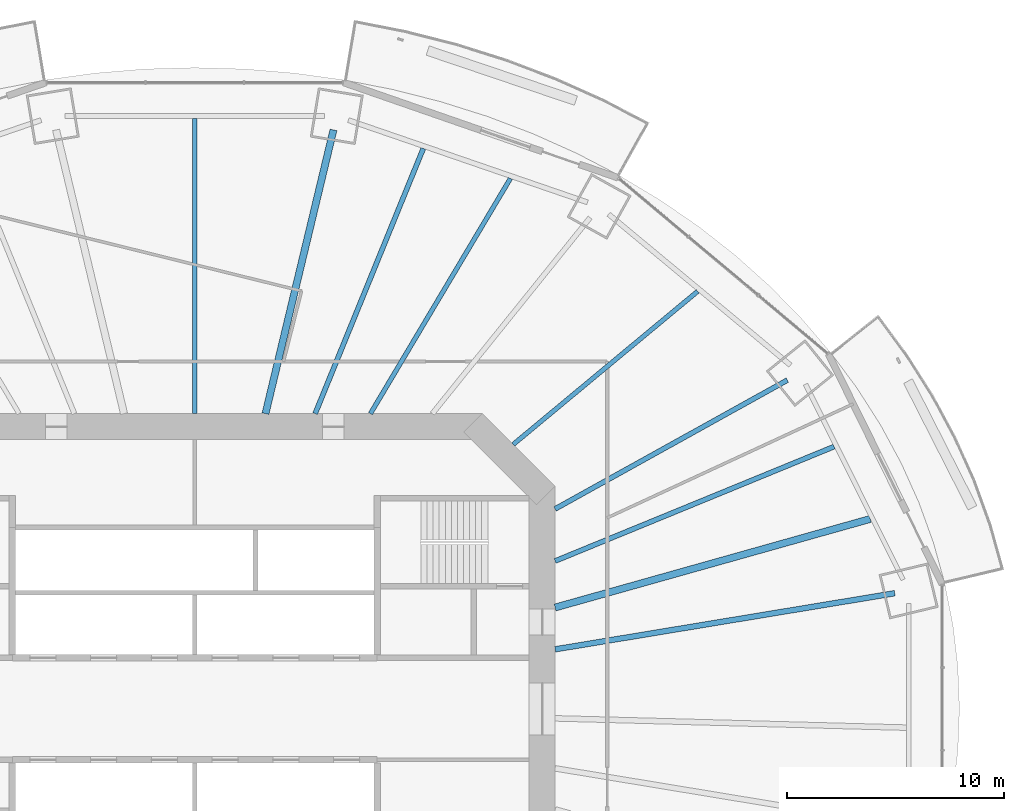
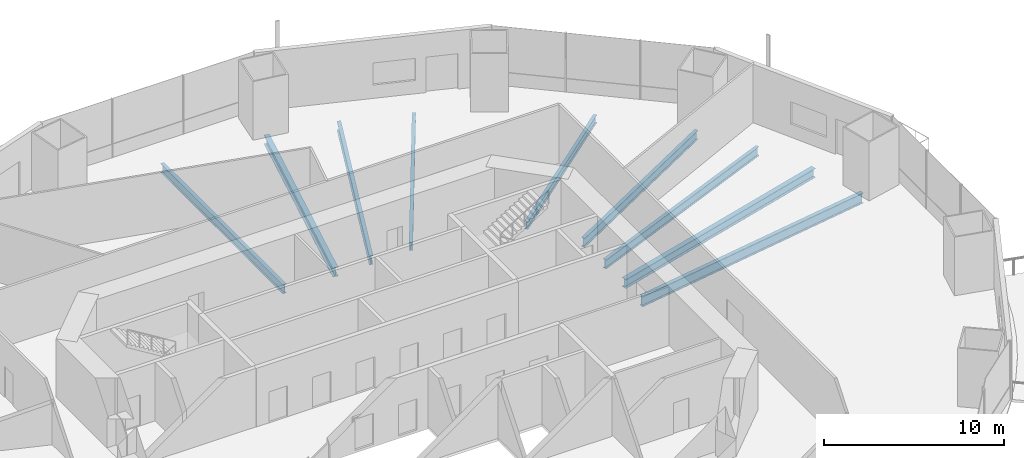
# One storey, part 8 of 22: 9 beams.
"""IFC4 building model written with IfcOpenShell, lengths in metres."""

from ifc_helpers import new_model, si_unit, direction, frame, origin, origin_2d, place, context, subcontext, project, spatial, i_section, extrude, material, material_profile, profile_set, type_object, element, save


model = new_model("IFC4")

# Units and contexts
model_context = context("Model", 3, precision=1e-05, world=origin(), true_north=direction((0.0, 1.0)))
body_context = subcontext(model_context, "Body", "Model", "MODEL_VIEW")
ifc_project = project(units=[si_unit("LENGTHUNIT", "METRE"), si_unit("AREAUNIT", "SQUARE_METRE"), si_unit("VOLUMEUNIT", "CUBIC_METRE"), si_unit("PLANEANGLEUNIT", "RADIAN"), si_unit("MASSUNIT", "GRAM", prefix="KILO")], contexts=[model_context])

# Site, building, storey
site_placement = place(None, origin())
site = spatial("IfcSite", under=ifc_project, at=site_placement, CompositionType="ELEMENT")
building_placement = place(site_placement, origin())
building = spatial("IfcBuilding", under=site, at=building_placement, Name="Marenthal Gate Tower", CompositionType="ELEMENT")
storey_placement = place(building_placement, frame((0.0, 0.0, 91.10009765625)))
storey = spatial("IfcBuildingStorey", under=building, at=storey_placement, Name="L18", CompositionType="ELEMENT", Elevation=91.10009765625)

# Beams
ifc_material_1 = material(Name="Steel S355", Category="steel")
ifc_material_profile_1 = material_profile(ifc_material_1, i_section(OverallWidth=0.2099609375, OverallDepth=0.535888671875, WebThickness=0.010986328125, FlangeThickness=0.017333984375, FilletRadius=0.0126953125, at=origin_2d()), Name="W530X101")
ifc_profile_set_1 = profile_set([ifc_material_profile_1], Name="Steel S355")
beam_type_1 = type_object("IfcBeamType", Name="W530X101 beam", PredefinedType="BEAM", material=ifc_profile_set_1)
beam_1_placement = place(storey_placement, frame((23.164794921875, 19.23193359375, -0.447998046875), z_axis=(-0.769390815443, -0.638778344273, 0.0), x_axis=(0.638778344273, -0.769390815443, 0.0)))
element("IfcBeam", 1, at=beam_1_placement, inside=storey, type_object=beam_type_1, Name="BM-L18-19", PredefinedType="BEAM", context=body_context, shape_type="SweptSolid", body=[
    extrude(i_section(OverallWidth=0.2099609375, OverallDepth=0.535888671875, WebThickness=0.010986328125, FlangeThickness=0.017333984375, FilletRadius=0.0126953125, at=origin_2d()), origin(), (0.0, 0.0, 1.0), 11.041259765625),
])
ifc_material_2 = material(Name="Steel S355", Category="steel")
ifc_material_profile_2 = material_profile(ifc_material_2, i_section(OverallWidth=0.2119140625, OverallDepth=0.5439453125, WebThickness=0.01318359375, FlangeThickness=0.021240234375, FilletRadius=0.0126953125, at=origin_2d()), Name="W530X123")
ifc_profile_set_2 = profile_set([ifc_material_profile_2], Name="Steel S355")
beam_type_2 = type_object("IfcBeamType", Name="W530X123 beam", PredefinedType="BEAM", material=ifc_profile_set_2)
beam_2_placement = place(storey_placement, frame((14.539794921875, 24.431396484375, -0.4521484375), z_axis=(-0.511416092882, -0.859333218223, 0.0), x_axis=(0.859333218223, -0.511416092882, 0.0)))
element("IfcBeam", 2, at=beam_2_placement, inside=storey, type_object=beam_type_2, Name="BM-L18-20", PredefinedType="BEAM", context=body_context, shape_type="SweptSolid", body=[
    extrude(i_section(OverallWidth=0.2119140625, OverallDepth=0.5439453125, WebThickness=0.01318359375, FlangeThickness=0.021240234375, FilletRadius=0.0126953125, at=origin_2d()), origin(), (0.0, 0.0, 1.0), 12.604248046875),
])
ifc_material_3 = material(Name="Steel S355", Category="steel")
ifc_material_profile_3 = material_profile(ifc_material_3, i_section(OverallWidth=0.22900390625, OverallDepth=0.612060546875, WebThickness=0.011962890625, FlangeThickness=0.01953125, FilletRadius=0.0126953125, at=origin_2d()), Name="W610X125")
ifc_profile_set_3 = profile_set([ifc_material_profile_3], Name="Steel S355")
beam_type_3 = type_object("IfcBeamType", Name="W610X125 beam", PredefinedType="BEAM", material=ifc_profile_set_3)
beam_3_placement = place(storey_placement, frame((27.296630859375, 15.142333984375, -0.486083984375), z_axis=(-0.874458374023, -0.485100558752, 0.0), x_axis=(0.485100558752, -0.874458374023, 0.0)))
element("IfcBeam", 3, at=beam_3_placement, inside=storey, type_object=beam_type_3, Name="BM-L18-02", PredefinedType="BEAM", context=body_context, shape_type="SweptSolid", body=[
    extrude(i_section(OverallWidth=0.22900390625, OverallDepth=0.612060546875, WebThickness=0.011962890625, FlangeThickness=0.01953125, FilletRadius=0.0126953125, at=origin_2d()), origin(), (0.0, 0.0, 1.0), 12.232177734375),
])
beam_4_placement = place(storey_placement, frame((29.45068359375, 12.08056640625, -0.486083984375), z_axis=(-0.925188716507, -0.379507363365, 0.0), x_axis=(0.379507363365, -0.925188716507, 0.0)))
element("IfcBeam", 4, at=beam_4_placement, inside=storey, type_object=beam_type_3, Name="BM-L18-18", PredefinedType="BEAM", context=body_context, shape_type="SweptSolid", body=[
    extrude(i_section(OverallWidth=0.22900390625, OverallDepth=0.612060546875, WebThickness=0.011962890625, FlangeThickness=0.01953125, FilletRadius=0.0126953125, at=origin_2d()), origin(), (0.0, 0.0, 1.0), 13.8896484375),
])
beam_5_placement = place(storey_placement, frame((10.52734375, 25.811279296875, -0.486083984375), z_axis=(-0.377657332002, -0.925945430134, 0.0), x_axis=(0.925945430134, -0.377657332002, 0.0)))
element("IfcBeam", 5, at=beam_5_placement, inside=storey, type_object=beam_type_3, Name="BM-L18-21", PredefinedType="BEAM", context=body_context, shape_type="SweptSolid", body=[
    extrude(i_section(OverallWidth=0.22900390625, OverallDepth=0.612060546875, WebThickness=0.011962890625, FlangeThickness=0.01953125, FilletRadius=0.0126953125, at=origin_2d()), origin(), (0.0, 0.0, 1.0), 13.187744140625),
])
beam_6_placement = place(storey_placement, frame((0.0, 27.188720703125, -0.486083984375), z_axis=(0.0, -1.0, 0.0), x_axis=(1.0, 0.0, 0.0)))
element("IfcBeam", 6, at=beam_6_placement, inside=storey, type_object=beam_type_3, Name="BM-L18-22", PredefinedType="BEAM", context=body_context, shape_type="SweptSolid", body=[
    extrude(i_section(OverallWidth=0.22900390625, OverallDepth=0.612060546875, WebThickness=0.011962890625, FlangeThickness=0.01953125, FilletRadius=0.0126953125, at=origin_2d()), origin(), (0.0, 0.0, 1.0), 13.588623046875),
])
ifc_material_4 = material(Name="Steel S355", Category="steel")
ifc_material_profile_4 = material_profile(ifc_material_4, i_section(OverallWidth=0.324951171875, OverallDepth=0.612060546875, WebThickness=0.0126953125, FlangeThickness=0.01904296875, FilletRadius=0.0126953125, at=origin_2d()), Name="W610X155")
ifc_profile_set_4 = profile_set([ifc_material_profile_4], Name="Steel S355")
beam_type_4 = type_object("IfcBeamType", Name="W610X155 beam", PredefinedType="BEAM", material=ifc_profile_set_4)
beam_7_placement = place(storey_placement, frame((6.389404296875, 26.668212890625, -0.486083984375), z_axis=(-0.233003942161, -0.972475790412, 0.0), x_axis=(0.972475790412, -0.233003942161, 0.0)))
element("IfcBeam", 7, at=beam_7_placement, inside=storey, type_object=beam_type_4, Name="BM-L18-04", PredefinedType="BEAM", context=body_context, shape_type="SweptSolid", body=[
    extrude(i_section(OverallWidth=0.324951171875, OverallDepth=0.612060546875, WebThickness=0.0126953125, FlangeThickness=0.01904296875, FilletRadius=0.0126953125, at=origin_2d()), origin(), (0.0, 0.0, 1.0), 13.43798828125),
])
beam_8_placement = place(storey_placement, frame((31.114013671875, 8.74658203125, -0.486083984375), z_axis=(-0.962684828959, -0.270625054443, 0.0), x_axis=(0.270625054443, -0.962684828959, 0.0)))
element("IfcBeam", 8, at=beam_8_placement, inside=storey, type_object=beam_type_4, Name="BM-L18-17", PredefinedType="BEAM", context=body_context, shape_type="SweptSolid", body=[
    extrude(i_section(OverallWidth=0.324951171875, OverallDepth=0.612060546875, WebThickness=0.0126953125, FlangeThickness=0.01904296875, FilletRadius=0.0126953125, at=origin_2d()), origin(), (0.0, 0.0, 1.0), 15.076416015625),
])
ifc_material_5 = material(Name="Steel S355", Category="steel")
ifc_material_profile_5 = material_profile(ifc_material_5, i_section(OverallWidth=0.257080078125, OverallDepth=0.693115234375, WebThickness=0.014404296875, FlangeThickness=0.023681640625, FilletRadius=0.015380859375, at=origin_2d()), Name="W690X170")
ifc_profile_set_5 = profile_set([ifc_material_profile_5], Name="Steel S355")
beam_type_5 = type_object("IfcBeamType", Name="W690X170 beam", PredefinedType="BEAM", material=ifc_profile_set_5)
beam_9_placement = place(storey_placement, frame((32.242431640625, 5.324462890625, -0.526611328125), z_axis=(-0.986636314494, -0.162937972619, 0.0), x_axis=(0.162937972619, -0.986636314494, 0.0)))
element("IfcBeam", 9, at=beam_9_placement, inside=storey, type_object=beam_type_5, Name="BM-L18-01", PredefinedType="BEAM", context=body_context, shape_type="SweptSolid", body=[
    extrude(i_section(OverallWidth=0.257080078125, OverallDepth=0.693115234375, WebThickness=0.014404296875, FlangeThickness=0.023681640625, FilletRadius=0.015380859375, at=origin_2d()), origin(), (0.0, 0.0, 1.0), 15.854248046875),
])

save(model, "model.ifc")
